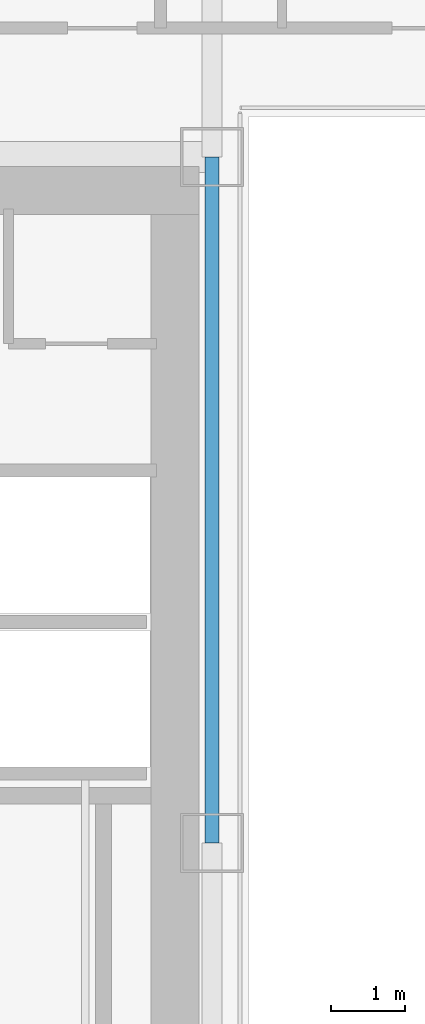
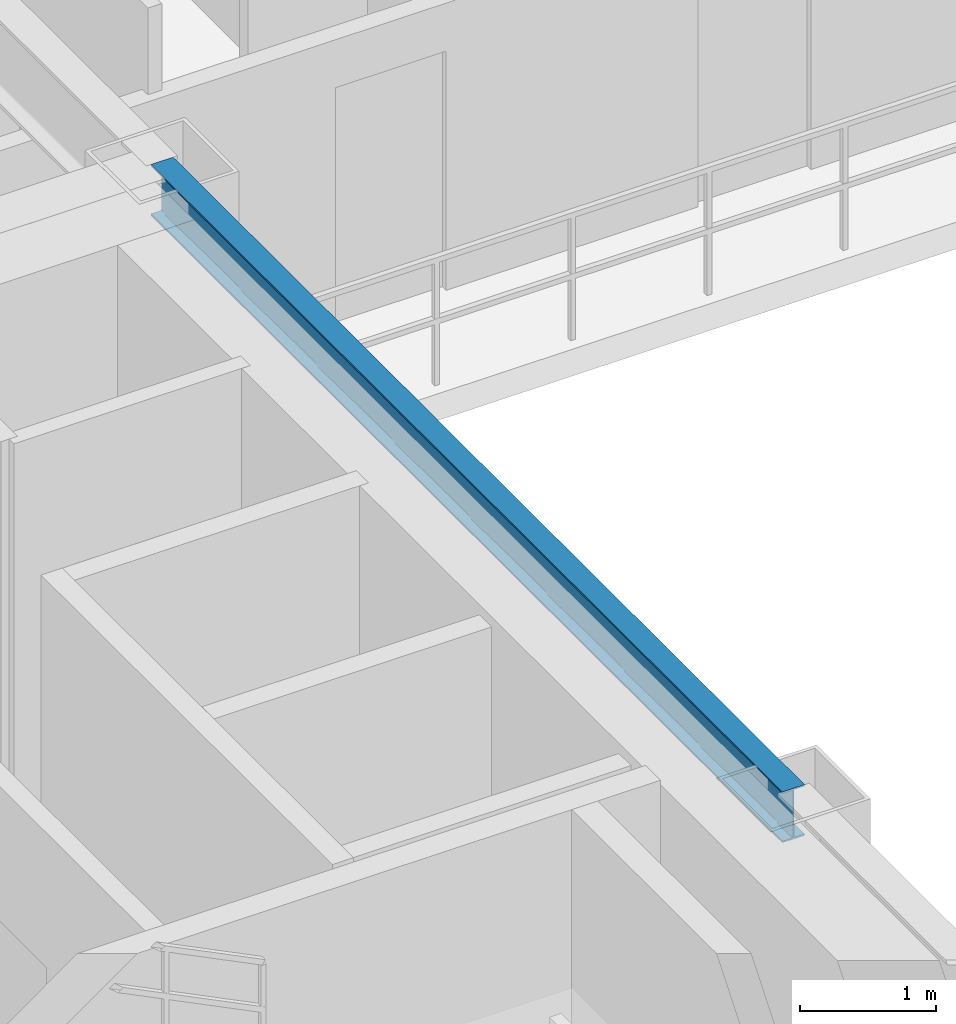
# One storey, part 9 of 36: 1 beam.
"""IFC4 building model written with IfcOpenShell, lengths in metres."""

from ifc_helpers import new_model, si_unit, direction, frame, origin, origin_2d, place, context, subcontext, project, spatial, i_section, extrude, source, transform, mapped, material, material_profile, profile_set, type_object, element, save


model = new_model("IFC4")

# Units and contexts
model_context = context("Model", 3, precision=1e-05, world=origin(), true_north=direction((0.0, 1.0)))
body_context = subcontext(model_context, "Body", "Model", "MODEL_VIEW")
ifc_project = project(units=[si_unit("LENGTHUNIT", "METRE"), si_unit("AREAUNIT", "SQUARE_METRE"), si_unit("VOLUMEUNIT", "CUBIC_METRE"), si_unit("PLANEANGLEUNIT", "RADIAN"), si_unit("MASSUNIT", "GRAM", prefix="KILO")], contexts=[model_context])

# Site, building, storey
site_placement = place(None, origin())
site = spatial("IfcSite", under=ifc_project, at=site_placement, CompositionType="ELEMENT")
building_placement = place(site_placement, origin())
building = spatial("IfcBuilding", under=site, at=building_placement, Name="Ocotamira Hotel", CompositionType="ELEMENT")
storey_placement = place(building_placement, frame((0.0, 0.0, 136.800048828125)))
storey = spatial("IfcBuildingStorey", under=building, at=storey_placement, Name="L34", CompositionType="ELEMENT", Elevation=136.800048828125)

# Beam
ifc_material = material(Name="Steel ASTM A992 Grade 50", Category="steel")
ifc_material_profile = material_profile(ifc_material, i_section(OverallWidth=0.18994140625, OverallDepth=0.45703125, WebThickness=0.009033203125, FlangeThickness=0.014404296875, FilletRadius=0.010009765625, at=origin_2d()), Name="W18X50")
ifc_profile_set = profile_set([ifc_material_profile], Name="Steel ASTM A992 Grade 50")
beam_type = type_object("IfcBeamType", Name="BM-SEC-W18X50", PredefinedType="JOIST", material=ifc_profile_set)
shared_shape = source(origin(), body_context, "Body", "SweptSolid", [
    extrude(i_section(OverallWidth=0.18994140625, OverallDepth=0.45703125, WebThickness=0.009033203125, FlangeThickness=0.014404296875, FilletRadius=0.010009765625, at=origin_2d()), origin(), (0.0, 0.0, 1.0), 9.300048828125),
])
beam_placement = place(storey_placement, frame((23.5, 28.14990234375, 3.13134765625), z_axis=(0.0, 1.0, 0.0), x_axis=(-1.0, 0.0, 0.0)))
element("IfcBeam", 1, at=beam_placement, inside=storey, type_object=beam_type, Name="L34 Beam X23.5 Y28.15-37.45", PredefinedType="JOIST", context=body_context, shape_type="MappedRepresentation", body=[
    mapped(shared_shape, transform((0.0, 0.0, 0.0), scale=1.0)),
])

save(model, "model.ifc")
